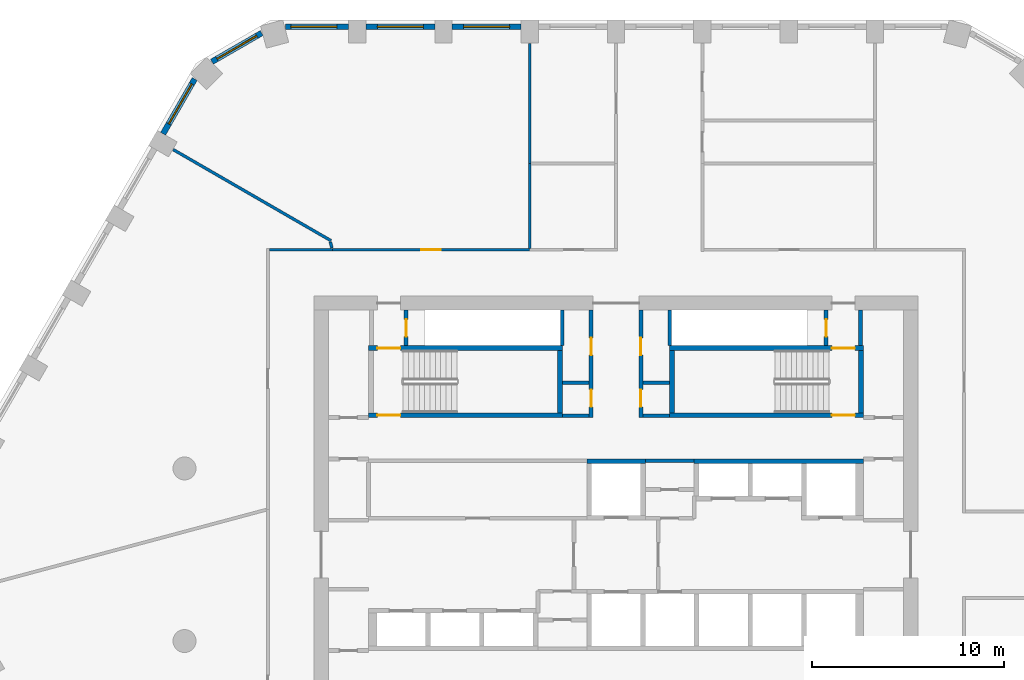
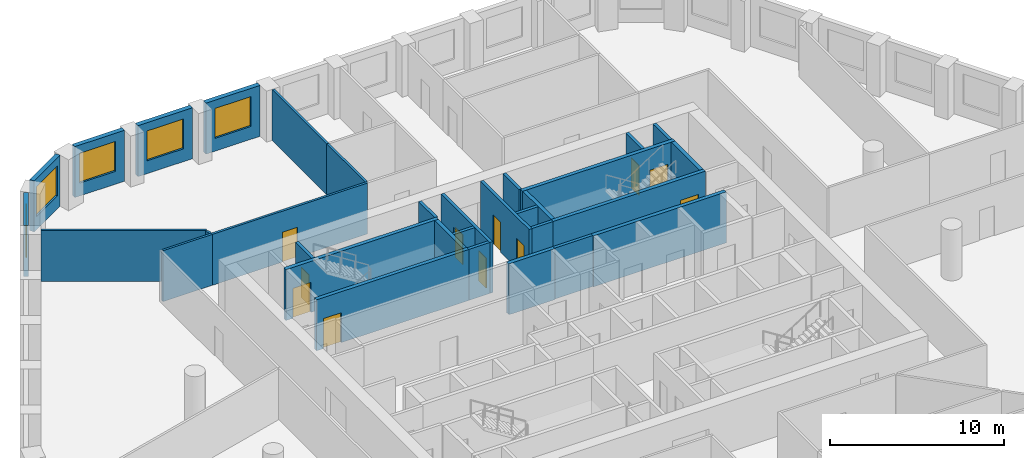
# One storey, part 6 of 9: 32 walls, 11 doors, 5 windows, 16 openings.
"""IFC4 building model written with IfcOpenShell, lengths in metres."""

from ifc_helpers import new_model, si_unit, direction, frame, frame_2d, origin, place, context, subcontext, project, spatial, polyline, rectangle, outline, extrude, material, layer, layer_set, type_object, element, fill, save


model = new_model("IFC4")

# Units and contexts
model_context = context("Model", 3, precision=1e-05, world=origin(), true_north=direction((0.0, 1.0)))
body_context = subcontext(model_context, "Body", "Model", "MODEL_VIEW")
ifc_project = project(units=[si_unit("LENGTHUNIT", "METRE"), si_unit("AREAUNIT", "SQUARE_METRE"), si_unit("VOLUMEUNIT", "CUBIC_METRE"), si_unit("PLANEANGLEUNIT", "RADIAN"), si_unit("MASSUNIT", "GRAM", prefix="KILO")], contexts=[model_context])

# Site, building, storey
site_placement = place(None, origin())
site = spatial("IfcSite", under=ifc_project, at=site_placement, CompositionType="ELEMENT")
building_placement = place(site_placement, origin())
building = spatial("IfcBuilding", under=site, at=building_placement, Name="Dhurran Vertical Campus", CompositionType="ELEMENT")
storey_placement = place(building_placement, frame((0.0, 0.0, 167.699951171875)))
storey = spatial("IfcBuildingStorey", under=building, at=storey_placement, Name="L41", CompositionType="ELEMENT", Elevation=167.699951171875)

# Wall, opening, window
ifc_material_1 = material(Name="Precast concrete C50/60", Category="concrete")
ifc_layer_1 = layer(ifc_material_1, 0.300048828125)
ifc_layer_set_1 = layer_set([ifc_layer_1], Name="Precast concrete C50/60")
wall_type_1 = type_object("IfcWallType", Name="Precast spandrel wall 300", PredefinedType="SOLIDWALL", material=ifc_layer_set_1)
wall_1_placement = place(storey_placement, frame((-4.950439453125, 27.53271484375, 0.0), z_axis=(0.0, 0.0, 1.0), x_axis=(-1.0, 0.0, 0.0)))
wall_1 = element("IfcWall", 1, at=wall_1_placement, inside=storey, type_object=wall_type_1, Name="EW1 L41.28", PredefinedType="SOLIDWALL", context=body_context, shape_type="SweptSolid", body=[
    extrude(rectangle(XDim=3.59912109375, YDim=0.300048828125, at=frame_2d((1.799560546875, 0.0))), origin(), (0.0, 0.0, 1.0), 3.574951171875),
])
opening_1_placement = place(wall_1_placement, frame((0.599609375, 0.0, 0.89990234375)))
opening_1 = element("IfcOpeningElement", 2, at=opening_1_placement, cuts=wall_1, Name="Opening WT1", PredefinedType="OPENING", context=body_context, shape_type="SweptSolid", body=[
    extrude(rectangle(XDim=2.39990234375, YDim=2.10009765625, at=frame_2d((1.199951171875, 1.050048828125))), frame((0.0, 0.159912109375, 0.0), z_axis=(0.0, -1.0, 0.0), x_axis=(1.0, 0.0, 0.0)), (0.0, 0.0, 1.0), 0.320068359375),
])
ifc_material_2 = material(Name="Aluminium frame with solar-control glass", Category="aluminium")
window_type = type_object("IfcWindowType", Name="Punched window 2400 x 2100", PartitioningType="SINGLE_PANEL", PredefinedType="WINDOW", material=ifc_material_2)
window_1_placement = place(opening_1_placement, origin())
window_1 = element("IfcWindow", 3, at=window_1_placement, inside=storey, type_object=window_type, Name="WT1 L41.28", OverallHeight=2.10009765625, OverallWidth=2.39990234375, PartitioningType="SINGLE_PANEL", PredefinedType="WINDOW", context=body_context, shape_type="SweptSolid", body=[
    extrude(rectangle(XDim=2.39990234375, YDim=2.10009765625, at=frame_2d((1.199951171875, 1.050048828125))), frame((0.0, 0.030029296875, 0.0), z_axis=(0.0, -1.0, 0.0), x_axis=(1.0, 0.0, 0.0)), (0.0, 0.0, 1.0), 0.06005859375),
])
fill(opening_1, window_1)

wall_2_placement = place(storey_placement, frame((-9.450439453125, 27.53271484375, 0.0), z_axis=(0.0, 0.0, 1.0), x_axis=(-1.0, 0.0, 0.0)))
wall_2 = element("IfcWall", 4, at=wall_2_placement, inside=storey, type_object=wall_type_1, Name="EW1 L41.29", PredefinedType="SOLIDWALL", context=body_context, shape_type="SweptSolid", body=[
    extrude(rectangle(XDim=3.59912109375, YDim=0.300048828125, at=frame_2d((1.799560546875, 0.0))), origin(), (0.0, 0.0, 1.0), 3.574951171875),
])
opening_2_placement = place(wall_2_placement, frame((0.599609375, 0.0, 0.89990234375)))
opening_2 = element("IfcOpeningElement", 5, at=opening_2_placement, cuts=wall_2, Name="Opening WT1", PredefinedType="OPENING", context=body_context, shape_type="SweptSolid", body=[
    extrude(rectangle(XDim=2.39990234375, YDim=2.10009765625, at=frame_2d((1.199951171875, 1.050048828125))), frame((0.0, 0.159912109375, 0.0), z_axis=(0.0, -1.0, 0.0), x_axis=(1.0, 0.0, 0.0)), (0.0, 0.0, 1.0), 0.320068359375),
])
window_2_placement = place(opening_2_placement, origin())
window_2 = element("IfcWindow", 6, at=window_2_placement, inside=storey, type_object=window_type, Name="WT1 L41.29", OverallHeight=2.10009765625, OverallWidth=2.39990234375, PartitioningType="SINGLE_PANEL", PredefinedType="WINDOW", context=body_context, shape_type="SweptSolid", body=[
    extrude(rectangle(XDim=2.39990234375, YDim=2.10009765625, at=frame_2d((1.199951171875, 1.050048828125))), frame((0.0, 0.030029296875, 0.0), z_axis=(0.0, -1.0, 0.0), x_axis=(1.0, 0.0, 0.0)), (0.0, 0.0, 1.0), 0.06005859375),
])
fill(opening_2, window_2)

wall_3_placement = place(storey_placement, frame((-13.950439453125, 27.53271484375, 0.0), z_axis=(0.0, 0.0, 1.0), x_axis=(-1.0, 0.0, 0.0)))
wall_3 = element("IfcWall", 7, at=wall_3_placement, inside=storey, type_object=wall_type_1, Name="EW1 L41.30", PredefinedType="SOLIDWALL", context=body_context, shape_type="SweptSolid", body=[
    extrude(rectangle(XDim=3.294189453125, YDim=0.300048828125, at=frame_2d((1.64697265625, 0.0))), origin(), (0.0, 0.0, 1.0), 3.574951171875),
])
opening_3_placement = place(wall_3_placement, frame((0.599609375, 0.0, 0.89990234375)))
opening_3 = element("IfcOpeningElement", 8, at=opening_3_placement, cuts=wall_3, Name="Opening WT1", PredefinedType="OPENING", context=body_context, shape_type="SweptSolid", body=[
    extrude(rectangle(XDim=2.39990234375, YDim=2.10009765625, at=frame_2d((1.199951171875, 1.050048828125))), frame((0.0, 0.159912109375, 0.0), z_axis=(0.0, -1.0, 0.0), x_axis=(1.0, 0.0, 0.0)), (0.0, 0.0, 1.0), 0.320068359375),
])
window_3_placement = place(opening_3_placement, origin())
window_3 = element("IfcWindow", 9, at=window_3_placement, inside=storey, type_object=window_type, Name="WT1 L41.30", OverallHeight=2.10009765625, OverallWidth=2.39990234375, PartitioningType="SINGLE_PANEL", PredefinedType="WINDOW", context=body_context, shape_type="SweptSolid", body=[
    extrude(rectangle(XDim=2.39990234375, YDim=2.10009765625, at=frame_2d((1.199951171875, 1.050048828125))), frame((0.0, 0.030029296875, 0.0), z_axis=(0.0, -1.0, 0.0), x_axis=(1.0, 0.0, 0.0)), (0.0, 0.0, 1.0), 0.06005859375),
])
fill(opening_3, window_3)

wall_4_placement = place(storey_placement, frame((-18.479248046875, 27.201904296875, 0.0), z_axis=(0.0, 0.0, 1.0), x_axis=(-0.866012844897, -0.500021752, 0.0)))
wall_4 = element("IfcWall", 10, at=wall_4_placement, inside=storey, type_object=wall_type_1, Name="EW1 L41.31", PredefinedType="SOLIDWALL", context=body_context, shape_type="SweptSolid", body=[
    extrude(rectangle(XDim=2.989013671875, YDim=0.300048828125, at=frame_2d((1.49462890625, 0.0))), origin(), (0.0, 0.0, 1.0), 3.574951171875),
])
opening_4_placement = place(wall_4_placement, frame((0.294677734375, 0.0, 0.89990234375)))
opening_4 = element("IfcOpeningElement", 11, at=opening_4_placement, cuts=wall_4, Name="Opening WT1", PredefinedType="OPENING", context=body_context, shape_type="SweptSolid", body=[
    extrude(rectangle(XDim=2.39990234375, YDim=2.10009765625, at=frame_2d((1.199951171875, 1.050048828125))), frame((0.0, 0.159912109375, 0.0), z_axis=(0.0, -1.0, 0.0), x_axis=(1.0, 0.0, 0.0)), (0.0, 0.0, 1.0), 0.320068359375),
])
window_4_placement = place(opening_4_placement, origin())
window_4 = element("IfcWindow", 12, at=window_4_placement, inside=storey, type_object=window_type, Name="WT1 L41.31", OverallHeight=2.10009765625, OverallWidth=2.39990234375, PartitioningType="SINGLE_PANEL", PredefinedType="WINDOW", context=body_context, shape_type="SweptSolid", body=[
    extrude(rectangle(XDim=2.39990234375, YDim=2.10009765625, at=frame_2d((1.199951171875, 1.050048828125))), frame((0.0, 0.030029296875, 0.0), z_axis=(0.0, -1.0, 0.0), x_axis=(1.0, 0.0, 0.0)), (0.0, 0.0, 1.0), 0.06005859375),
])
fill(opening_4, window_4)

wall_5_placement = place(storey_placement, frame((-21.9716796875, 24.803466796875, 0.0), z_axis=(0.0, 0.0, 1.0), x_axis=(-0.500036802197, -0.866004154983, 0.0)))
wall_5 = element("IfcWall", 13, at=wall_5_placement, inside=storey, type_object=wall_type_1, Name="EW1 L41.32", PredefinedType="SOLIDWALL", context=body_context, shape_type="SweptSolid", body=[
    extrude(rectangle(XDim=3.294189453125, YDim=0.300048828125, at=frame_2d((1.64697265625, 0.0))), origin(), (0.0, 0.0, 1.0), 3.574951171875),
])
opening_5_placement = place(wall_5_placement, frame((0.29443359375, 0.0, 0.89990234375)))
opening_5 = element("IfcOpeningElement", 14, at=opening_5_placement, cuts=wall_5, Name="Opening WT1", PredefinedType="OPENING", context=body_context, shape_type="SweptSolid", body=[
    extrude(rectangle(XDim=2.39990234375, YDim=2.10009765625, at=frame_2d((1.199951171875, 1.050048828125))), frame((0.0, 0.159912109375, 0.0), z_axis=(0.0, -1.0, 0.0), x_axis=(1.0, 0.0, 0.0)), (0.0, 0.0, 1.0), 0.320068359375),
])
window_5_placement = place(opening_5_placement, origin())
window_5 = element("IfcWindow", 15, at=window_5_placement, inside=storey, type_object=window_type, Name="WT1 L41.32", OverallHeight=2.10009765625, OverallWidth=2.39990234375, PartitioningType="SINGLE_PANEL", PredefinedType="WINDOW", context=body_context, shape_type="SweptSolid", body=[
    extrude(rectangle(XDim=2.39990234375, YDim=2.10009765625, at=frame_2d((1.199951171875, 1.050048828125))), frame((0.0, 0.030029296875, 0.0), z_axis=(0.0, -1.0, 0.0), x_axis=(1.0, 0.0, 0.0)), (0.0, 0.0, 1.0), 0.06005859375),
])
fill(opening_5, window_5)

# Walls
ifc_material_3 = material(Name="Fire-rated masonry blockwork", Category="masonry")
ifc_layer_2 = layer(ifc_material_3, 0.199951171875)
ifc_layer_set_2 = layer_set([ifc_layer_2], Name="Fire-rated masonry blockwork")
wall_type_2 = type_object("IfcWallType", Name="co-FIRE-PARTITION-200", PredefinedType="PARTITIONING", material=ifc_layer_set_2)
for number, where, z_axis, x_axis, name in (
    (16, (-2.800048828125, 7.25, 0.0), (0.0, 0.0, 1.0), (1.0, 0.0, 0.0), "Core partition sl-NW-S L41"),
    (17, (-2.800048828125, 8.969970703125, 0.0), (0.0, 0.0, 1.0), (1.0, 0.0, 0.0), "Core partition sl-NW-cut0 L41"),
    (18, (1.39990234375, 7.25, 0.0), (0.0, 0.0, 1.0), (1.0, 0.0, 0.0), "Core partition sl-NE-S L41"),
    (19, (1.39990234375, 8.969970703125, 0.0), (0.0, 0.0, 1.0), (1.0, 0.0, 0.0), "Core partition sl-NE-cut0 L41"),
):
    element("IfcWall", number, at=place(storey_placement, frame(where, z_axis=z_axis, x_axis=x_axis)), inside=storey, type_object=wall_type_2, Name=name, PredefinedType="PARTITIONING", context=body_context, shape_type="SweptSolid", body=[
        extrude(rectangle(XDim=1.400146484375, YDim=0.199951171875, at=frame_2d((0.7001953125, 0.0))), origin(), (0.0, 0.0, 1.0), 3.574951171875),
    ])

# Wall, openings, doors
wall_6_placement = place(storey_placement, frame((-1.300048828125, 7.14990234375, 0.0), z_axis=(0.0, 0.0, 1.0), x_axis=(0.0, 1.0, 0.0)))
wall_6 = element("IfcWall", 20, at=wall_6_placement, inside=storey, type_object=wall_type_2, Name="Core partition vest-NW L41", PredefinedType="PARTITIONING", context=body_context, shape_type="SweptSolid", body=[
    extrude(rectangle(XDim=5.60009765625, YDim=0.199951171875, at=frame_2d((2.800048828125, 0.0))), origin(), (0.0, 0.0, 1.0), 3.574951171875),
])
opening_6_placement = place(wall_6_placement, frame((0.56005859375, 0.0, 0.0)))
opening_6 = element("IfcOpeningElement", 21, at=opening_6_placement, cuts=wall_6, Name="Opening T12-C6", PredefinedType="OPENING", context=body_context, shape_type="SweptSolid", body=[
    extrude(rectangle(XDim=0.89990234375, YDim=2.10009765625, at=frame_2d((0.449951171875, 1.050048828125))), frame((0.0, 0.10986328125, 0.0), z_axis=(0.0, -1.0, 0.0), x_axis=(1.0, 0.0, 0.0)), (0.0, 0.0, 1.0), 0.219970703125),
])
opening_7_placement = place(wall_6_placement, frame((3.260009765625, 0.0, 0.0)))
opening_7 = element("IfcOpeningElement", 22, at=opening_7_placement, cuts=wall_6, Name="Opening T12-C7", PredefinedType="OPENING", context=body_context, shape_type="SweptSolid", body=[
    extrude(rectangle(XDim=0.89990234375, YDim=2.10009765625, at=frame_2d((0.449951171875, 1.050048828125))), frame((0.0, 0.10986328125, 0.0), z_axis=(0.0, -1.0, 0.0), x_axis=(1.0, 0.0, 0.0)), (0.0, 0.0, 1.0), 0.219970703125),
])
ifc_material_4 = material(Name="Fire-rated timber door set", Category="wood")
door_type_1 = type_object("IfcDoorType", Name="co-D-ROOM 900x2100", OperationType="SINGLE_SWING_LEFT", PredefinedType="DOOR", material=ifc_material_4)
door_1_placement = place(opening_6_placement, origin())
door_1 = element("IfcDoor", 23, at=door_1_placement, inside=storey, type_object=door_type_1, Name="Waste room door L41", OperationType="SINGLE_SWING_LEFT", OverallHeight=2.10009765625, OverallWidth=0.89990234375, PredefinedType="DOOR", context=body_context, shape_type="SweptSolid", body=[
    extrude(rectangle(XDim=0.89990234375, YDim=2.10009765625, at=frame_2d((0.449951171875, 1.050048828125))), frame((0.0, 0.02490234375, 0.0), z_axis=(0.0, -1.0, 0.0), x_axis=(1.0, 0.0, 0.0)), (0.0, 0.0, 1.0), 0.050048828125),
])
fill(opening_6, door_1)
door_2_placement = place(opening_7_placement, origin())
door_2 = element("IfcDoor", 24, at=door_2_placement, inside=storey, type_object=door_type_1, Name="Store door L41", OperationType="SINGLE_SWING_LEFT", OverallHeight=2.10009765625, OverallWidth=0.89990234375, PredefinedType="DOOR", context=body_context, shape_type="SweptSolid", body=[
    extrude(rectangle(XDim=0.89990234375, YDim=2.10009765625, at=frame_2d((0.449951171875, 1.050048828125))), frame((0.0, 0.02490234375, 0.0), z_axis=(0.0, -1.0, 0.0), x_axis=(1.0, 0.0, 0.0)), (0.0, 0.0, 1.0), 0.050048828125),
])
fill(opening_7, door_2)

wall_7_placement = place(storey_placement, frame((1.300048828125, 7.14990234375, 0.0), z_axis=(0.0, 0.0, 1.0), x_axis=(0.0, 1.0, 0.0)))
wall_7 = element("IfcWall", 25, at=wall_7_placement, inside=storey, type_object=wall_type_2, Name="Core partition vest-NE L41", PredefinedType="PARTITIONING", context=body_context, shape_type="SweptSolid", body=[
    extrude(rectangle(XDim=5.60009765625, YDim=0.199951171875, at=frame_2d((2.800048828125, 0.0))), origin(), (0.0, 0.0, 1.0), 3.574951171875),
])
opening_8_placement = place(wall_7_placement, frame((0.56005859375, 0.0, 0.0)))
opening_8 = element("IfcOpeningElement", 26, at=opening_8_placement, cuts=wall_7, Name="Opening T12-C8", PredefinedType="OPENING", context=body_context, shape_type="SweptSolid", body=[
    extrude(rectangle(XDim=0.89990234375, YDim=2.10009765625, at=frame_2d((0.449951171875, 1.050048828125))), frame((0.0, 0.10986328125, 0.0), z_axis=(0.0, -1.0, 0.0), x_axis=(1.0, 0.0, 0.0)), (0.0, 0.0, 1.0), 0.219970703125),
])
opening_9_placement = place(wall_7_placement, frame((3.260009765625, 0.0, 0.0)))
opening_9 = element("IfcOpeningElement", 27, at=opening_9_placement, cuts=wall_7, Name="Opening T12-C9", PredefinedType="OPENING", context=body_context, shape_type="SweptSolid", body=[
    extrude(rectangle(XDim=0.89990234375, YDim=2.10009765625, at=frame_2d((0.449951171875, 1.050048828125))), frame((0.0, 0.10986328125, 0.0), z_axis=(0.0, -1.0, 0.0), x_axis=(1.0, 0.0, 0.0)), (0.0, 0.0, 1.0), 0.219970703125),
])
door_3_placement = place(opening_8_placement, origin())
door_3 = element("IfcDoor", 28, at=door_3_placement, inside=storey, type_object=door_type_1, Name="Water riser door L41", OperationType="SINGLE_SWING_LEFT", OverallHeight=2.10009765625, OverallWidth=0.89990234375, PredefinedType="DOOR", context=body_context, shape_type="SweptSolid", body=[
    extrude(rectangle(XDim=0.89990234375, YDim=2.10009765625, at=frame_2d((0.449951171875, 1.050048828125))), frame((0.0, 0.02490234375, 0.0), z_axis=(0.0, -1.0, 0.0), x_axis=(1.0, 0.0, 0.0)), (0.0, 0.0, 1.0), 0.050048828125),
])
fill(opening_8, door_3)
door_4_placement = place(opening_9_placement, origin())
door_4 = element("IfcDoor", 29, at=door_4_placement, inside=storey, type_object=door_type_1, Name="Housekeeping store door L41", OperationType="SINGLE_SWING_LEFT", OverallHeight=2.10009765625, OverallWidth=0.89990234375, PredefinedType="DOOR", context=body_context, shape_type="SweptSolid", body=[
    extrude(rectangle(XDim=0.89990234375, YDim=2.10009765625, at=frame_2d((0.449951171875, 1.050048828125))), frame((0.0, 0.02490234375, 0.0), z_axis=(0.0, -1.0, 0.0), x_axis=(1.0, 0.0, 0.0)), (0.0, 0.0, 1.0), 0.050048828125),
])
fill(opening_9, door_4)

# Wall, opening, door
wall_8_placement = place(storey_placement, frame((-10.949951171875, 10.89990234375, 0.0), z_axis=(0.0, 0.0, 1.0), x_axis=(0.0, 1.0, 0.0)))
wall_8 = element("IfcWall", 30, at=wall_8_placement, inside=storey, type_object=wall_type_2, Name="Core partition pass-ST1-i L41", PredefinedType="PARTITIONING", context=body_context, shape_type="SweptSolid", body=[
    extrude(rectangle(XDim=1.85009765625, YDim=0.199951171875, at=frame_2d((0.925048828125, 0.0))), origin(), (0.0, 0.0, 1.0), 3.574951171875),
])
opening_10_placement = place(wall_8_placement, frame((0.47509765625, 0.0, 0.0)))
opening_10 = element("IfcOpeningElement", 31, at=opening_10_placement, cuts=wall_8, Name="Opening T12-C10", PredefinedType="OPENING", context=body_context, shape_type="SweptSolid", body=[
    extrude(rectangle(XDim=0.89990234375, YDim=2.10009765625, at=frame_2d((0.449951171875, 1.050048828125))), frame((0.0, 0.10986328125, 0.0), z_axis=(0.0, -1.0, 0.0), x_axis=(1.0, 0.0, 0.0)), (0.0, 0.0, 1.0), 0.219970703125),
])
door_5_placement = place(opening_10_placement, origin())
door_5 = element("IfcDoor", 32, at=door_5_placement, inside=storey, type_object=door_type_1, Name="Riser room door L41", OperationType="SINGLE_SWING_LEFT", OverallHeight=2.10009765625, OverallWidth=0.89990234375, PredefinedType="DOOR", context=body_context, shape_type="SweptSolid", body=[
    extrude(rectangle(XDim=0.89990234375, YDim=2.10009765625, at=frame_2d((0.449951171875, 1.050048828125))), frame((0.0, 0.02490234375, 0.0), z_axis=(0.0, -1.0, 0.0), x_axis=(1.0, 0.0, 0.0)), (0.0, 0.0, 1.0), 0.050048828125),
])
fill(opening_10, door_5)

# Wall
wall_9_placement = place(storey_placement, frame((12.75, 10.89990234375, 0.0), z_axis=(0.0, 0.0, 1.0), x_axis=(0.0, 1.0, 0.0)))
element("IfcWall", 33, at=wall_9_placement, inside=storey, type_object=wall_type_2, Name="Core partition pass-ST2-o L41", PredefinedType="PARTITIONING", context=body_context, shape_type="SweptSolid", body=[
    extrude(rectangle(XDim=1.85009765625, YDim=0.199951171875, at=frame_2d((0.925048828125, 0.0))), origin(), (0.0, 0.0, 1.0), 3.574951171875),
])

# Wall, opening, door
wall_10_placement = place(storey_placement, frame((10.949951171875, 10.89990234375, 0.0), z_axis=(0.0, 0.0, 1.0), x_axis=(0.0, 1.0, 0.0)))
wall_10 = element("IfcWall", 34, at=wall_10_placement, inside=storey, type_object=wall_type_2, Name="Core partition pass-ST2-i L41", PredefinedType="PARTITIONING", context=body_context, shape_type="SweptSolid", body=[
    extrude(rectangle(XDim=1.85009765625, YDim=0.199951171875, at=frame_2d((0.925048828125, 0.0))), origin(), (0.0, 0.0, 1.0), 3.574951171875),
])
opening_11_placement = place(wall_10_placement, frame((0.47509765625, 0.0, 0.0)))
opening_11 = element("IfcOpeningElement", 35, at=opening_11_placement, cuts=wall_10, Name="Opening T12-C11", PredefinedType="OPENING", context=body_context, shape_type="SweptSolid", body=[
    extrude(rectangle(XDim=0.89990234375, YDim=2.10009765625, at=frame_2d((0.449951171875, 1.050048828125))), frame((0.0, 0.10986328125, 0.0), z_axis=(0.0, -1.0, 0.0), x_axis=(1.0, 0.0, 0.0)), (0.0, 0.0, 1.0), 0.219970703125),
])
door_6_placement = place(opening_11_placement, origin())
door_6 = element("IfcDoor", 36, at=door_6_placement, inside=storey, type_object=door_type_1, Name="Riser room door L41", OperationType="SINGLE_SWING_LEFT", OverallHeight=2.10009765625, OverallWidth=0.89990234375, PredefinedType="DOOR", context=body_context, shape_type="SweptSolid", body=[
    extrude(rectangle(XDim=0.89990234375, YDim=2.10009765625, at=frame_2d((0.449951171875, 1.050048828125))), frame((0.0, 0.02490234375, 0.0), z_axis=(0.0, -1.0, 0.0), x_axis=(1.0, 0.0, 0.0)), (0.0, 0.0, 1.0), 0.050048828125),
])
fill(opening_11, door_6)

# Walls
wall_11_placement = place(storey_placement, frame((1.52490234375, 4.89990234375, 0.0), z_axis=(0.0, 0.0, 1.0), x_axis=(1.0, 0.0, 0.0)))
element("IfcWall", 37, at=wall_11_placement, inside=storey, type_object=wall_type_2, Name="Core partition fr-N1-b L41", PredefinedType="PARTITIONING", context=body_context, shape_type="SweptSolid", body=[
    extrude(rectangle(XDim=2.550048828125, YDim=0.199951171875, at=frame_2d((1.27490234375, 0.0))), origin(), (0.0, 0.0, 1.0), 3.574951171875),
])
for number, where, z_axis, x_axis, name in (
    (38, (-2.800048828125, 10.90087890625, 0.0), (0.0, 0.0, 1.0), (0.0, 1.0, 0.0), "Riser enclosure wall L41"),
    (39, (2.800048828125, 12.7490234375, 0.0), (0.0, 0.0, 1.0), (0.0, -1.0, 0.0), "Riser enclosure wall L41"),
):
    element("IfcWall", number, at=place(storey_placement, frame(where, z_axis=z_axis, x_axis=x_axis)), inside=storey, type_object=wall_type_2, Name=name, PredefinedType="PARTITIONING", context=body_context, shape_type="SweptSolid", body=[
        extrude(rectangle(XDim=1.84814453125, YDim=0.199951171875, at=frame_2d((0.924072265625, 0.0))), origin(), (0.0, 0.0, 1.0), 3.574951171875),
    ])
ifc_material_5 = material(Name="Concrete C50/60", Category="concrete")
ifc_layer_3 = layer(ifc_material_5, 0.25)
ifc_layer_set_3 = layer_set([ifc_layer_3], Name="Concrete C50/60")
wall_type_3 = type_object("IfcWallType", Name="co-SHAFT-MASS-250", PredefinedType="SHEAR", material=ifc_layer_set_3)
wall_12_placement = place(storey_placement, origin())
element("IfcWall", 40, at=wall_12_placement, inside=storey, type_object=wall_type_3, Name="Lift shaft wall N L41 1", PredefinedType="SHEAR", context=body_context, shape_type="SweptSolid", body=[
    extrude(outline(polyline([(-1.52490234375, 4.75), (1.52490234375, 4.75), (1.52490234375, 5.0), (-1.52490234375, 5.0), (-1.52490234375, 4.75)])), origin(), (0.0, 0.0, 1.0), 3.574951171875),
])
wall_13_placement = place(storey_placement, origin())
element("IfcWall", 41, at=wall_13_placement, inside=storey, type_object=wall_type_3, Name="Lift shaft wall N L41 2", PredefinedType="SHEAR", context=body_context, shape_type="SweptSolid", body=[
    extrude(outline(polyline([(4.074951171875, 4.75), (12.89990234375, 4.75), (12.89990234375, 5.0), (4.074951171875, 5.0), (4.074951171875, 4.75)])), origin(), (0.0, 0.0, 1.0), 3.574951171875),
])

# Wall, opening, door
ifc_material_6 = material(Name="Concrete C40/50", Category="concrete")
ifc_layer_4 = layer(ifc_material_6, 0.25)
ifc_layer_set_4 = layer_set([ifc_layer_4], Name="Concrete C40/50")
wall_type_4 = type_object("IfcWallType", Name="co-STAIR-WALL-250", PredefinedType="SHEAR", material=ifc_layer_set_4)
wall_14_placement = place(storey_placement, frame((-12.89990234375, 7.27490234375, 0.0), z_axis=(0.0, 0.0, 1.0), x_axis=(1.0, 0.0, 0.0)))
wall_14 = element("IfcWall", 42, at=wall_14_placement, inside=storey, type_object=wall_type_4, Name="Stair ST1 enclosure wall L41", PredefinedType="SHEAR", context=body_context, shape_type="SweptSolid", body=[
    extrude(rectangle(XDim=10.099853515625, YDim=0.25, at=frame_2d((5.0498046875, 0.0))), origin(), (0.0, 0.0, 1.0), 3.574951171875),
])
opening_12_placement = place(wall_14_placement, frame((0.449951171875, 0.0, 0.0)))
opening_12 = element("IfcOpeningElement", 43, at=opening_12_placement, cuts=wall_14, Name="Opening SD1", PredefinedType="OPENING", context=body_context, shape_type="SweptSolid", body=[
    extrude(rectangle(XDim=1.199951171875, YDim=2.10009765625, at=frame_2d((0.60009765625, 1.050048828125))), frame((0.0, 0.135009765625, 0.0), z_axis=(0.0, -1.0, 0.0), x_axis=(1.0, 0.0, 0.0)), (0.0, 0.0, 1.0), 0.27001953125),
])
ifc_material_7 = material(Name="Fire-rated steel door set", Category="steel")
door_type_2 = type_object("IfcDoorType", Name="co-D-STAIR 1200x2100", OperationType="SINGLE_SWING_LEFT", PredefinedType="DOOR", material=ifc_material_7)
door_7_placement = place(opening_12_placement, origin())
door_7 = element("IfcDoor", 44, at=door_7_placement, inside=storey, type_object=door_type_2, Name="Stair ST1 door L41", OperationType="SINGLE_SWING_LEFT", OverallHeight=2.10009765625, OverallWidth=1.199951171875, PredefinedType="DOOR", context=body_context, shape_type="SweptSolid", body=[
    extrude(rectangle(XDim=1.199951171875, YDim=2.10009765625, at=frame_2d((0.60009765625, 1.050048828125))), frame((0.0, 0.02490234375, 0.0), z_axis=(0.0, -1.0, 0.0), x_axis=(1.0, 0.0, 0.0)), (0.0, 0.0, 1.0), 0.050048828125),
])
fill(opening_12, door_7)

wall_15_placement = place(storey_placement, frame((-12.89990234375, 10.77490234375, 0.0), z_axis=(0.0, 0.0, 1.0), x_axis=(1.0, 0.0, 0.0)))
wall_15 = element("IfcWall", 45, at=wall_15_placement, inside=storey, type_object=wall_type_4, Name="Stair ST1 enclosure wall L41", PredefinedType="SHEAR", context=body_context, shape_type="SweptSolid", body=[
    extrude(rectangle(XDim=10.099853515625, YDim=0.25, at=frame_2d((5.0498046875, 0.0))), origin(), (0.0, 0.0, 1.0), 3.574951171875),
])
opening_13_placement = place(wall_15_placement, frame((0.449951171875, 0.0, 0.0)))
opening_13 = element("IfcOpeningElement", 46, at=opening_13_placement, cuts=wall_15, Name="Opening XS1", PredefinedType="OPENING", context=body_context, shape_type="SweptSolid", body=[
    extrude(rectangle(XDim=1.199951171875, YDim=2.10009765625, at=frame_2d((0.60009765625, 1.050048828125))), frame((0.0, 0.135009765625, 0.0), z_axis=(0.0, -1.0, 0.0), x_axis=(1.0, 0.0, 0.0)), (0.0, 0.0, 1.0), 0.27001953125),
])
ifc_material_8 = material(Name="Fire-rated steel door set", Category="steel")
door_type_3 = type_object("IfcDoorType", Name="co-D-STAIR-EXIT 1200x2100", OperationType="SINGLE_SWING_RIGHT", PredefinedType="DOOR", material=ifc_material_8)
door_8_placement = place(opening_13_placement, origin())
door_8 = element("IfcDoor", 47, at=door_8_placement, inside=storey, type_object=door_type_3, Name="Stair ST1 discharge door L41", OperationType="SINGLE_SWING_RIGHT", OverallHeight=2.10009765625, OverallWidth=1.199951171875, PredefinedType="DOOR", context=body_context, shape_type="SweptSolid", body=[
    extrude(rectangle(XDim=1.199951171875, YDim=2.10009765625, at=frame_2d((0.60009765625, 1.050048828125))), frame((0.0, 0.02490234375, 0.0), z_axis=(0.0, -1.0, 0.0), x_axis=(1.0, 0.0, 0.0)), (0.0, 0.0, 1.0), 0.050048828125),
])
fill(opening_13, door_8)

# Wall
wall_16_placement = place(storey_placement, frame((-2.925048828125, 7.39990234375, 0.0), z_axis=(0.0, 0.0, 1.0), x_axis=(0.0, 1.0, 0.0)))
element("IfcWall", 48, at=wall_16_placement, inside=storey, type_object=wall_type_4, Name="Stair ST1 enclosure wall L41", PredefinedType="SHEAR", context=body_context, shape_type="SweptSolid", body=[
    extrude(rectangle(XDim=3.25, YDim=0.25, at=frame_2d((1.625, 0.0))), origin(), (0.0, 0.0, 1.0), 3.574951171875),
])

# Wall, opening, door
wall_17_placement = place(storey_placement, frame((2.800048828125, 7.27490234375, 0.0), z_axis=(0.0, 0.0, 1.0), x_axis=(1.0, 0.0, 0.0)))
wall_17 = element("IfcWall", 49, at=wall_17_placement, inside=storey, type_object=wall_type_4, Name="Stair ST2 enclosure wall L41", PredefinedType="SHEAR", context=body_context, shape_type="SweptSolid", body=[
    extrude(rectangle(XDim=10.099853515625, YDim=0.25, at=frame_2d((5.0498046875, 0.0))), origin(), (0.0, 0.0, 1.0), 3.574951171875),
])
opening_14_placement = place(wall_17_placement, frame((8.449951171875, 0.0, 0.0)))
opening_14 = element("IfcOpeningElement", 50, at=opening_14_placement, cuts=wall_17, Name="Opening SD2", PredefinedType="OPENING", context=body_context, shape_type="SweptSolid", body=[
    extrude(rectangle(XDim=1.199951171875, YDim=2.10009765625, at=frame_2d((0.60009765625, 1.050048828125))), frame((0.0, 0.135009765625, 0.0), z_axis=(0.0, -1.0, 0.0), x_axis=(1.0, 0.0, 0.0)), (0.0, 0.0, 1.0), 0.27001953125),
])
door_9_placement = place(opening_14_placement, origin())
door_9 = element("IfcDoor", 51, at=door_9_placement, inside=storey, type_object=door_type_2, Name="Stair ST2 door L41", OperationType="SINGLE_SWING_LEFT", OverallHeight=2.10009765625, OverallWidth=1.199951171875, PredefinedType="DOOR", context=body_context, shape_type="SweptSolid", body=[
    extrude(rectangle(XDim=1.199951171875, YDim=2.10009765625, at=frame_2d((0.60009765625, 1.050048828125))), frame((0.0, 0.02490234375, 0.0), z_axis=(0.0, -1.0, 0.0), x_axis=(1.0, 0.0, 0.0)), (0.0, 0.0, 1.0), 0.050048828125),
])
fill(opening_14, door_9)

wall_18_placement = place(storey_placement, frame((2.800048828125, 10.77490234375, 0.0), z_axis=(0.0, 0.0, 1.0), x_axis=(1.0, 0.0, 0.0)))
wall_18 = element("IfcWall", 52, at=wall_18_placement, inside=storey, type_object=wall_type_4, Name="Stair ST2 enclosure wall L41", PredefinedType="SHEAR", context=body_context, shape_type="SweptSolid", body=[
    extrude(rectangle(XDim=10.099853515625, YDim=0.25, at=frame_2d((5.0498046875, 0.0))), origin(), (0.0, 0.0, 1.0), 3.574951171875),
])
opening_15_placement = place(wall_18_placement, frame((8.449951171875, 0.0, 0.0)))
opening_15 = element("IfcOpeningElement", 53, at=opening_15_placement, cuts=wall_18, Name="Opening XS2", PredefinedType="OPENING", context=body_context, shape_type="SweptSolid", body=[
    extrude(rectangle(XDim=1.199951171875, YDim=2.10009765625, at=frame_2d((0.60009765625, 1.050048828125))), frame((0.0, 0.135009765625, 0.0), z_axis=(0.0, -1.0, 0.0), x_axis=(1.0, 0.0, 0.0)), (0.0, 0.0, 1.0), 0.27001953125),
])
door_10_placement = place(opening_15_placement, origin())
door_10 = element("IfcDoor", 54, at=door_10_placement, inside=storey, type_object=door_type_3, Name="Stair ST2 discharge door L41", OperationType="SINGLE_SWING_RIGHT", OverallHeight=2.10009765625, OverallWidth=1.199951171875, PredefinedType="DOOR", context=body_context, shape_type="SweptSolid", body=[
    extrude(rectangle(XDim=1.199951171875, YDim=2.10009765625, at=frame_2d((0.60009765625, 1.050048828125))), frame((0.0, 0.02490234375, 0.0), z_axis=(0.0, -1.0, 0.0), x_axis=(1.0, 0.0, 0.0)), (0.0, 0.0, 1.0), 0.050048828125),
])
fill(opening_15, door_10)

# Walls
for number, where, z_axis, x_axis, name in (
    (55, (2.925048828125, 7.39990234375, 0.0), (0.0, 0.0, 1.0), (0.0, 1.0, 0.0), "Stair ST2 enclosure wall L41"),
    (56, (12.77490234375, 7.39990234375, 0.0), (0.0, 0.0, 1.0), (0.0, 1.0, 0.0), "Stair ST2 enclosure wall L41"),
):
    element("IfcWall", number, at=place(storey_placement, frame(where, z_axis=z_axis, x_axis=x_axis)), inside=storey, type_object=wall_type_4, Name=name, PredefinedType="SHEAR", context=body_context, shape_type="SweptSolid", body=[
        extrude(rectangle(XDim=3.25, YDim=0.25, at=frame_2d((1.625, 0.0))), origin(), (0.0, 0.0, 1.0), 3.574951171875),
    ])
ifc_material_9 = material(Name="Gypsum board corridor wall on steel studs", Category="steel")
ifc_layer_5 = layer(ifc_material_9, 0.14990234375)
ifc_layer_set_5 = layer_set([ifc_layer_5], Name="Gypsum board corridor wall on steel studs")
wall_type_5 = type_object("IfcWallType", Name="fl-CW-150 corridor wall", PredefinedType="PARTITIONING", material=ifc_layer_set_5)
wall_19_placement = place(storey_placement, frame((-14.7890625, 15.89990234375, 0.0), z_axis=(0.0, 0.0, 1.0), x_axis=(-1.0, 0.0, 0.0)))
element("IfcWall", 57, at=wall_19_placement, inside=storey, type_object=wall_type_5, Name="Partition 41-07", PredefinedType="PARTITIONING", context=body_context, shape_type="SweptSolid", body=[
    extrude(rectangle(XDim=3.285888671875, YDim=0.14990234375, at=frame_2d((1.64306640625, 0.0))), origin(), (0.0, 0.0, 1.0), 3.574951171875),
])

# Wall, opening, door
wall_20_placement = place(storey_placement, frame((-4.5, 15.89990234375, 0.0), z_axis=(0.0, 0.0, 1.0), x_axis=(-1.0, 0.0, 0.0)))
wall_20 = element("IfcWall", 58, at=wall_20_placement, inside=storey, type_object=wall_type_5, Name="Partition 41-11", PredefinedType="PARTITIONING", context=body_context, shape_type="SweptSolid", body=[
    extrude(rectangle(XDim=10.2890625, YDim=0.14990234375, at=frame_2d((5.14453125, 0.0))), origin(), (0.0, 0.0, 1.0), 3.574951171875),
])
opening_16_placement = place(wall_20_placement, frame((4.64453125, 0.0, 0.0)))
opening_16 = element("IfcOpeningElement", 59, at=opening_16_placement, cuts=wall_20, Name="Opening T12.04", PredefinedType="OPENING", context=body_context, shape_type="SweptSolid", body=[
    extrude(rectangle(XDim=1.0, YDim=2.10009765625, at=frame_2d((0.5, 1.050048828125))), frame((0.0, 0.0849609375, 0.0), z_axis=(0.0, -1.0, 0.0), x_axis=(1.0, 0.0, 0.0)), (0.0, 0.0, 1.0), 0.169921875),
])
ifc_material_10 = material(Name="Solid-core timber door set, fire-rated", Category="wood")
door_type_4 = type_object("IfcDoorType", Name="fl-D-1000x2100", OperationType="SINGLE_SWING_LEFT", PredefinedType="DOOR", material=ifc_material_10)
door_11_placement = place(opening_16_placement, origin())
door_11 = element("IfcDoor", 60, at=door_11_placement, inside=storey, type_object=door_type_4, Name="Door 41.04", OperationType="SINGLE_SWING_LEFT", OverallHeight=2.10009765625, OverallWidth=1.0, PredefinedType="DOOR", context=body_context, shape_type="SweptSolid", body=[
    extrude(rectangle(XDim=1.0, YDim=2.10009765625, at=frame_2d((0.5, 1.050048828125))), frame((0.0, 0.02490234375, 0.0), z_axis=(0.0, -1.0, 0.0), x_axis=(1.0, 0.0, 0.0)), (0.0, 0.0, 1.0), 0.050048828125),
])
fill(opening_16, door_11)

# Walls
ifc_material_11 = material(Name="Gypsum board partition on steel studs", Category="steel")
ifc_layer_6 = layer(ifc_material_11, 0.14990234375)
ifc_layer_set_6 = layer_set([ifc_layer_6], Name="Gypsum board partition on steel studs")
wall_type_6 = type_object("IfcWallType", Name="fl-PW-150 fixed partition", PredefinedType="PARTITIONING", material=ifc_layer_set_6)
wall_21_placement = place(storey_placement, frame((-23.09033203125, 21.1259765625, 0.0), z_axis=(0.0, 0.0, 1.0), x_axis=(0.866011447264, -0.500024172624, 0.0)))
element("IfcWall", 61, at=wall_21_placement, inside=storey, type_object=wall_type_6, Name="Partition 41-03", PredefinedType="PARTITIONING", context=body_context, shape_type="SweptSolid", body=[
    extrude(rectangle(XDim=9.50244140625, YDim=0.14990234375, at=frame_2d((4.751220703125, 0.0))), origin(), (0.0, 0.0, 1.0), 3.574951171875),
])
wall_22_placement = place(storey_placement, frame((-14.898681640625, 16.310546875, 0.0), z_axis=(0.0, 0.0, 1.0), x_axis=(0.257478443243, -0.966284042746, 0.0)))
element("IfcWall", 62, at=wall_22_placement, inside=storey, type_object=wall_type_6, Name="Partition 41-09", PredefinedType="PARTITIONING", context=body_context, shape_type="SweptSolid", body=[
    extrude(rectangle(XDim=0.330078125, YDim=0.14990234375, at=frame_2d((0.1650390625, 0.0))), origin(), (0.0, 0.0, 1.0), 3.574951171875),
])
wall_23_placement = place(storey_placement, frame((-4.5, 20.39990234375, 0.0), z_axis=(0.0, 0.0, 1.0), x_axis=(0.0, -1.0, 0.0)))
element("IfcWall", 63, at=wall_23_placement, inside=storey, type_object=wall_type_6, Name="Partition 41-16", PredefinedType="PARTITIONING", context=body_context, shape_type="SweptSolid", body=[
    extrude(rectangle(XDim=4.4248046875, YDim=0.14990234375, at=frame_2d((2.21240234375, 0.0))), origin(), (0.0, 0.0, 1.0), 3.574951171875),
])
wall_24_placement = place(storey_placement, frame((-4.5, 26.66259765625, 0.0), z_axis=(0.0, 0.0, 1.0), x_axis=(0.0, -1.0, 0.0)))
element("IfcWall", 64, at=wall_24_placement, inside=storey, type_object=wall_type_6, Name="Partition 41-18", PredefinedType="PARTITIONING", context=body_context, shape_type="SweptSolid", body=[
    extrude(rectangle(XDim=6.2626953125, YDim=0.14990234375, at=frame_2d((3.13134765625, 0.0))), origin(), (0.0, 0.0, 1.0), 3.574951171875),
])

save(model, "model.ifc")
